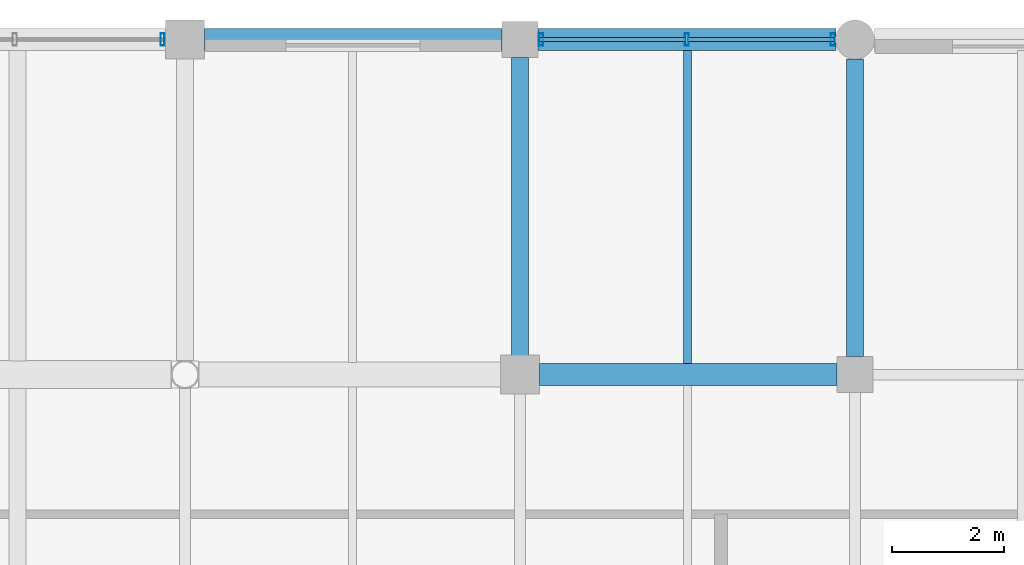
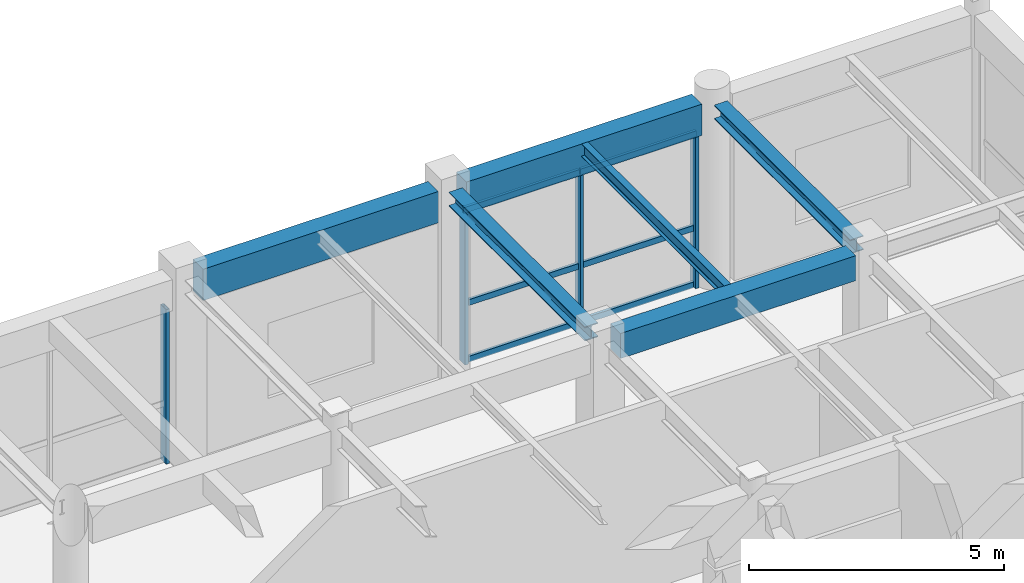
# One storey, part 85 of 123: 10 members, 6 beams, 2 elements without a shape of their own.
"""IFC4 building model written with IfcOpenShell, lengths in metres."""

from ifc_helpers import new_model, si_unit, direction, frame, origin, origin_2d, place, context, subcontext, project, spatial, rectangle, hollow_rectangle, i_section, extrude, material, material_profile, profile_set, type_object, element, aggregate, save


model = new_model("IFC4")

# Units and contexts
model_context = context("Model", 3, precision=1e-05, world=origin(), true_north=direction((0.0, 1.0)))
body_context = subcontext(model_context, "Body", "Model", "MODEL_VIEW")
ifc_project = project(units=[si_unit("LENGTHUNIT", "METRE"), si_unit("AREAUNIT", "SQUARE_METRE"), si_unit("VOLUMEUNIT", "CUBIC_METRE"), si_unit("PLANEANGLEUNIT", "RADIAN"), si_unit("MASSUNIT", "GRAM", prefix="KILO"), si_unit("THERMODYNAMICTEMPERATUREUNIT", "KELVIN"), si_unit("POWERUNIT", "WATT")], contexts=[model_context])

# Site, building, storey
site_placement = place(None, origin())
site = spatial("IfcSite", under=ifc_project, at=site_placement, CompositionType="ELEMENT")
building_placement = place(site_placement, origin())
building = spatial("IfcBuilding", under=site, at=building_placement, Name="Phaisarnlok Congress Hotel", CompositionType="ELEMENT")
storey_placement = place(building_placement, frame((0.0, 0.0, 15.0)))
storey = spatial("IfcBuildingStorey", under=building, at=storey_placement, Name="L03", CompositionType="ELEMENT", Elevation=15.0)

# Beams
ifc_material_1 = material(Name="Concrete C40/50", Category="concrete")
ifc_material_profile_1 = material_profile(ifc_material_1, rectangle(XDim=0.39990234375, YDim=0.60009765625, at=origin_2d()), Name="RC 400x600")
ifc_profile_set_1 = profile_set([ifc_material_profile_1], Name="Concrete C40/50")
beam_type_1 = type_object("IfcBeamType", Name="BM-RC-400x600", PredefinedType="BEAM", material=ifc_profile_set_1)
beam_1_placement = place(storey_placement, frame((168.344970703125, 120.0, 4.14990234375), z_axis=(1.0, 0.0, 0.0), x_axis=(0.0, 1.0, 0.0)))
element("IfcBeam", 1, at=beam_1_placement, inside=storey, type_object=beam_type_1, Name="Beam B-02", PredefinedType="BEAM", context=body_context, shape_type="SweptSolid", body=[
    extrude(rectangle(XDim=0.39990234375, YDim=0.60009765625, at=origin_2d()), origin(), (0.0, 0.0, 1.0), 5.3349609375),
])
ifc_material_2 = material(Name="Steel S355", Category="steel")
ifc_material_profile_2 = material_profile(ifc_material_2, i_section(OverallWidth=0.300048828125, OverallDepth=0.340087890625, WebThickness=0.011962890625, FlangeThickness=0.021484375, FilletRadius=0.027099609375, at=origin_2d()), Name="HEB 340")
ifc_profile_set_2 = profile_set([ifc_material_profile_2], Name="Steel S355")
beam_type_2 = type_object("IfcBeamType", Name="BM-STL-HEB340", PredefinedType="BEAM", material=ifc_profile_set_2)
for number, where, z_axis, x_axis, name in (
    (2, (168.0, 120.344970703125, 4.280029296875), (0.0, 1.0, 0.0), (-1.0, 0.0, 0.0), "Beam SB-07"),
    (3, (174.0, 120.320068359375, 4.280029296875), (0.0, 1.0, 0.0), (-1.0, 0.0, 0.0), "Beam SB-07"),
):
    element("IfcBeam", number, at=place(storey_placement, frame(where, z_axis=z_axis, x_axis=x_axis)), inside=storey, type_object=beam_type_2, Name=name, PredefinedType="BEAM", context=body_context, shape_type="SweptSolid", body=[
        extrude(i_section(OverallWidth=0.300048828125, OverallDepth=0.340087890625, WebThickness=0.011962890625, FlangeThickness=0.021484375, FilletRadius=0.027099609375, at=origin_2d()), origin(), (0.0, 0.0, 1.0), 5.3349609375),
    ])

# Curtain wall, members
ifc_material_3 = material(Name="Thermally Broken Unitised Aluminium & Low-E Glazing", Category="aluminium")
curtain_wall_type_1 = type_object("IfcCurtainWallType", Name="CW-UNIT-30", PredefinedType="NOTDEFINED", material=ifc_material_3)
curtain_wall_1_placement = place(storey_placement, origin())
curtain_wall_1 = element("IfcCurtainWall", 4, at=curtain_wall_1_placement, inside=storey, type_object=curtain_wall_type_1, Name="Unitised curtain wall CW-30 (L03)", PredefinedType="NOTDEFINED")
ifc_material_4 = material(Name="Anodised Aluminium Alloy 6063-T6", Category="aluminium")
ifc_material_profile_3 = material_profile(ifc_material_4, hollow_rectangle(XDim=0.074951171875, YDim=0.219970703125, WallThickness=0.0048828125, at=origin_2d()), Name="ALU-M 75x220x5")
ifc_profile_set_3 = profile_set([ifc_material_profile_3], Name="Anodised Aluminium Alloy 6063-T6")
member_type_1 = type_object("IfcMemberType", Name="CWM-220", PredefinedType="MULLION", material=ifc_profile_set_3)
member_1_placement = place(storey_placement, frame((173.60009765625, 126.0, 0.0), z_axis=(0.0, 0.0, 1.0), x_axis=(-1.0, 0.0, 0.0)))
member_1 = element("IfcMember", 5, at=member_1_placement, type_object=member_type_1, Name="Curtain wall mullion CWM-02", PredefinedType="MULLION", context=body_context, shape_type="SweptSolid", body=[
    extrude(hollow_rectangle(XDim=0.074951171875, YDim=0.219970703125, WallThickness=0.0048828125, at=origin_2d()), origin(), (0.0, 0.0, 1.0), 3.699951171875),
])
member_2_placement = place(storey_placement, frame((170.987548828125, 126.0, 0.0), z_axis=(0.0, 0.0, 1.0), x_axis=(-1.0, 0.0, 0.0)))
member_2 = element("IfcMember", 6, at=member_2_placement, type_object=member_type_1, Name="Curtain wall mullion CWM-02", PredefinedType="MULLION", context=body_context, shape_type="SweptSolid", body=[
    extrude(hollow_rectangle(XDim=0.074951171875, YDim=0.219970703125, WallThickness=0.0048828125, at=origin_2d()), origin(), (0.0, 0.0, 1.0), 3.699951171875),
])
member_3_placement = place(storey_placement, frame((168.375, 126.0, 0.0), z_axis=(0.0, 0.0, 1.0), x_axis=(-1.0, 0.0, 0.0)))
member_3 = element("IfcMember", 7, at=member_3_placement, type_object=member_type_1, Name="Curtain wall mullion CWM-02", PredefinedType="MULLION", context=body_context, shape_type="SweptSolid", body=[
    extrude(hollow_rectangle(XDim=0.074951171875, YDim=0.219970703125, WallThickness=0.0048828125, at=origin_2d()), origin(), (0.0, 0.0, 1.0), 3.699951171875),
])

# Curtain wall, member
curtain_wall_type_2 = type_object("IfcCurtainWallType", Name="CW-UNIT-31", PredefinedType="NOTDEFINED", material=ifc_material_3)
curtain_wall_2_placement = place(storey_placement, origin())
curtain_wall_2 = element("IfcCurtainWall", 8, at=curtain_wall_2_placement, inside=storey, type_object=curtain_wall_type_2, Name="Unitised curtain wall CW-31 (L03)", PredefinedType="NOTDEFINED")
member_4_placement = place(storey_placement, frame((161.60009765625, 126.0, 0.0), z_axis=(0.0, 0.0, 1.0), x_axis=(-1.0, 0.0, 0.0)))
member_4 = element("IfcMember", 9, at=member_4_placement, type_object=member_type_1, Name="Curtain wall mullion CWM-02", PredefinedType="MULLION", context=body_context, shape_type="SweptSolid", body=[
    extrude(hollow_rectangle(XDim=0.074951171875, YDim=0.219970703125, WallThickness=0.0048828125, at=origin_2d()), origin(), (0.0, 0.0, 1.0), 3.699951171875),
])
aggregate(curtain_wall_2, [member_4])

# Member
ifc_material_profile_4 = material_profile(ifc_material_4, hollow_rectangle(XDim=0.06494140625, YDim=0.139892578125, WallThickness=0.00390625, at=origin_2d()), Name="ALU-T 65x140x4")
ifc_profile_set_4 = profile_set([ifc_material_profile_4], Name="Anodised Aluminium Alloy 6063-T6")
member_type_2 = type_object("IfcMemberType", Name="CWT-150", PredefinedType="USERDEFINED", material=ifc_profile_set_4)
member_5_placement = place(storey_placement, frame((173.625, 126.0, 0.050048828125), z_axis=(-1.0, 0.0, 0.0), x_axis=(0.0, -1.0, 0.0)))
member_5 = element("IfcMember", 10, at=member_5_placement, type_object=member_type_2, Name="Curtain wall transom CWT-01", ObjectType="TRANSOM", PredefinedType="USERDEFINED", context=body_context, shape_type="SweptSolid", body=[
    extrude(hollow_rectangle(XDim=0.06494140625, YDim=0.139892578125, WallThickness=0.00390625, at=origin_2d()), origin(), (0.0, 0.0, 1.0), 2.62255859375),
])

member_6_placement = place(storey_placement, frame((173.625, 126.0, 1.406005859375), z_axis=(-1.0, 0.0, 0.0), x_axis=(0.0, -1.0, 0.0)))
member_6 = element("IfcMember", 11, at=member_6_placement, type_object=member_type_2, Name="Curtain wall transom CWT-01", ObjectType="TRANSOM", PredefinedType="USERDEFINED", context=body_context, shape_type="SweptSolid", body=[
    extrude(hollow_rectangle(XDim=0.06494140625, YDim=0.139892578125, WallThickness=0.00390625, at=origin_2d()), origin(), (0.0, 0.0, 1.0), 2.62255859375),
])

member_7_placement = place(storey_placement, frame((173.625, 126.0, 3.64990234375), z_axis=(-1.0, 0.0, 0.0), x_axis=(0.0, -1.0, 0.0)))
member_7 = element("IfcMember", 12, at=member_7_placement, type_object=member_type_2, Name="Curtain wall transom CWT-01", ObjectType="TRANSOM", PredefinedType="USERDEFINED", context=body_context, shape_type="SweptSolid", body=[
    extrude(hollow_rectangle(XDim=0.06494140625, YDim=0.139892578125, WallThickness=0.00390625, at=origin_2d()), origin(), (0.0, 0.0, 1.0), 2.62255859375),
])

member_8_placement = place(storey_placement, frame((170.972412109375, 126.0, 0.050048828125), z_axis=(-1.0, 0.0, 0.0), x_axis=(0.0, -1.0, 0.0)))
member_8 = element("IfcMember", 13, at=member_8_placement, type_object=member_type_2, Name="Curtain wall transom CWT-01", ObjectType="TRANSOM", PredefinedType="USERDEFINED", context=body_context, shape_type="SweptSolid", body=[
    extrude(hollow_rectangle(XDim=0.06494140625, YDim=0.139892578125, WallThickness=0.00390625, at=origin_2d()), origin(), (0.0, 0.0, 1.0), 2.622314453125),
])

member_9_placement = place(storey_placement, frame((170.972412109375, 126.0, 1.406005859375), z_axis=(-1.0, 0.0, 0.0), x_axis=(0.0, -1.0, 0.0)))
member_9 = element("IfcMember", 14, at=member_9_placement, type_object=member_type_2, Name="Curtain wall transom CWT-01", ObjectType="TRANSOM", PredefinedType="USERDEFINED", context=body_context, shape_type="SweptSolid", body=[
    extrude(hollow_rectangle(XDim=0.06494140625, YDim=0.139892578125, WallThickness=0.00390625, at=origin_2d()), origin(), (0.0, 0.0, 1.0), 2.622314453125),
])

member_10_placement = place(storey_placement, frame((170.972412109375, 126.0, 3.64990234375), z_axis=(-1.0, 0.0, 0.0), x_axis=(0.0, -1.0, 0.0)))
member_10 = element("IfcMember", 15, at=member_10_placement, type_object=member_type_2, Name="Curtain wall transom CWT-01", ObjectType="TRANSOM", PredefinedType="USERDEFINED", context=body_context, shape_type="SweptSolid", body=[
    extrude(hollow_rectangle(XDim=0.06494140625, YDim=0.139892578125, WallThickness=0.00390625, at=origin_2d()), origin(), (0.0, 0.0, 1.0), 2.622314453125),
])

aggregate(curtain_wall_1, [member_1, member_2, member_3, member_5, member_6, member_7, member_8, member_9, member_10])

# Beams
ifc_material_profile_5 = material_profile(ifc_material_2, i_section(OverallWidth=0.14990234375, OverallDepth=0.300048828125, WebThickness=0.007080078125, FlangeThickness=0.0107421875, FilletRadius=0.014892578125, at=origin_2d()), Name="IPE 300")
ifc_profile_set_5 = profile_set([ifc_material_profile_5], Name="Steel S355")
beam_type_3 = type_object("IfcBeamType", Name="JS-STL-IPE300", PredefinedType="JOIST", material=ifc_profile_set_5)
beam_2_placement = place(storey_placement, frame((171.0, 120.195068359375, 4.300048828125), z_axis=(0.0, 1.0, 0.0), x_axis=(-1.0, 0.0, 0.0)))
element("IfcBeam", 16, at=beam_2_placement, inside=storey, type_object=beam_type_3, Name="Secondary floor joist J-03", PredefinedType="JOIST", context=body_context, shape_type="SweptSolid", body=[
    extrude(i_section(OverallWidth=0.14990234375, OverallDepth=0.300048828125, WebThickness=0.007080078125, FlangeThickness=0.0107421875, FilletRadius=0.014892578125, at=origin_2d()), origin(), (0.0, 0.0, 1.0), 5.60986328125),
])
ifc_material_profile_6 = material_profile(ifc_material_1, rectangle(XDim=0.39990234375, YDim=0.75, at=origin_2d()), Name="RC 400x750")
ifc_profile_set_6 = profile_set([ifc_material_profile_6], Name="Concrete C40/50")
beam_type_4 = type_object("IfcBeamType", Name="SP-RC-400x750", PredefinedType="SPANDREL", material=ifc_profile_set_6)
for number, where, z_axis, x_axis, name in (
    (17, (162.344970703125, 126.0, 4.074951171875), (1.0, 0.0, 0.0), (0.0, 1.0, 0.0), "Beam SP-02"),
    (18, (168.320068359375, 126.0, 4.074951171875), (1.0, 0.0, 0.0), (0.0, 1.0, 0.0), "Beam SP-02"),
):
    element("IfcBeam", number, at=place(storey_placement, frame(where, z_axis=z_axis, x_axis=x_axis)), inside=storey, type_object=beam_type_4, Name=name, PredefinedType="SPANDREL", context=body_context, shape_type="SweptSolid", body=[
        extrude(rectangle(XDim=0.39990234375, YDim=0.75, at=origin_2d()), origin(), (0.0, 0.0, 1.0), 5.3349609375),
    ])

save(model, "model.ifc")
